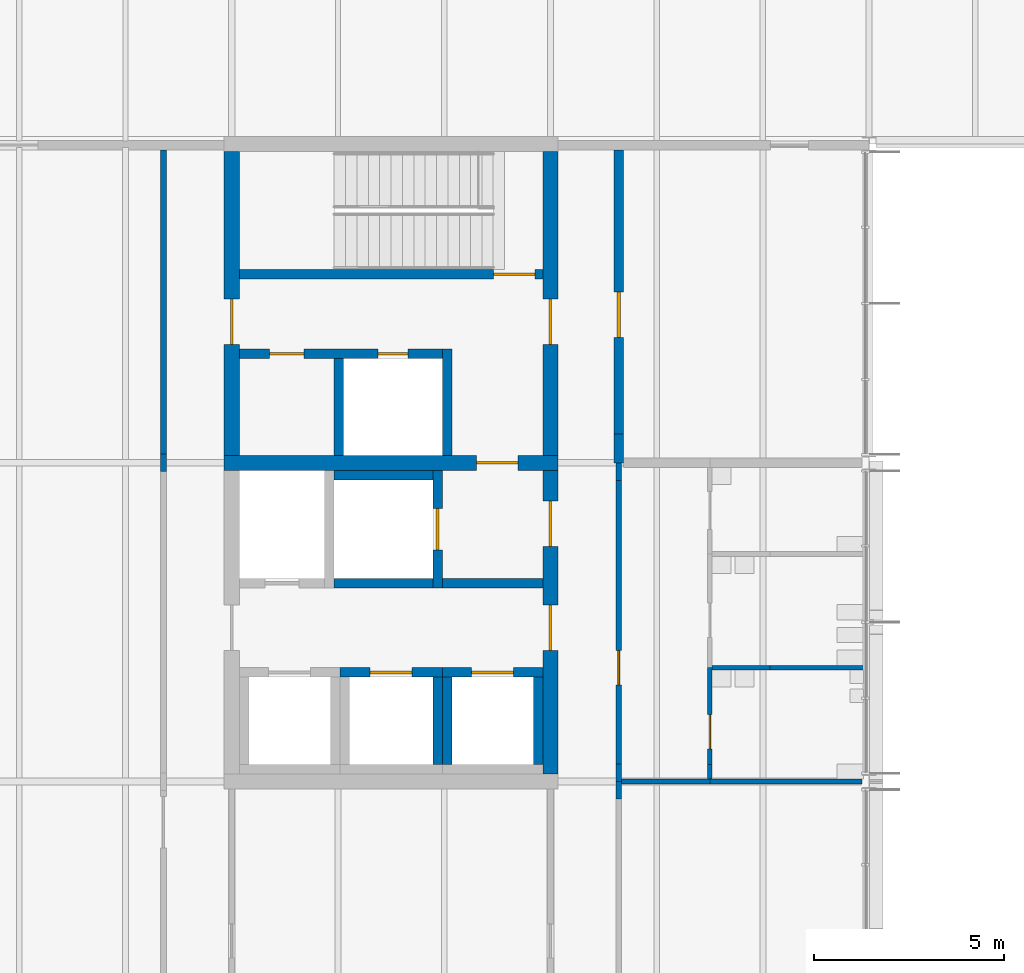
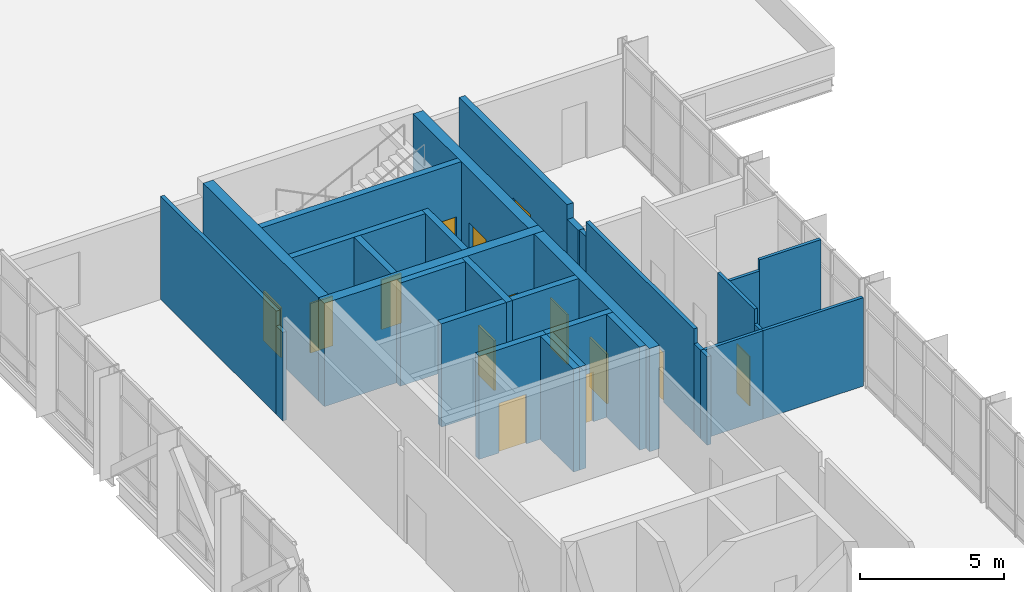
# One storey, part 17 of 26: 31 walls, 14 doors, 14 openings.
"""IFC4 building model written with IfcOpenShell, lengths in metres."""

from ifc_helpers import new_model, si_unit, direction, frame, frame_2d, origin, place, context, subcontext, project, spatial, rectangle, extrude, material, layer, layer_set, type_object, element, fill, save


model = new_model("IFC4")

# Units and contexts
model_context = context("Model", 3, precision=1e-05, world=origin(), true_north=direction((0.0, 1.0)))
body_context = subcontext(model_context, "Body", "Model", "MODEL_VIEW")
ifc_project = project(units=[si_unit("LENGTHUNIT", "METRE"), si_unit("AREAUNIT", "SQUARE_METRE"), si_unit("VOLUMEUNIT", "CUBIC_METRE"), si_unit("PLANEANGLEUNIT", "RADIAN"), si_unit("MASSUNIT", "GRAM", prefix="KILO")], contexts=[model_context])

# Site, building, storey
site_placement = place(None, origin())
site = spatial("IfcSite", under=ifc_project, at=site_placement, CompositionType="ELEMENT")
building_placement = place(site_placement, origin())
building = spatial("IfcBuilding", under=site, at=building_placement, Name="Hlaing Beacon Police Headquarters", CompositionType="ELEMENT")
storey_placement = place(building_placement, frame((0.0, 0.0, 23.39990234375)))
storey = spatial("IfcBuildingStorey", under=building, at=storey_placement, Name="L05", CompositionType="ELEMENT", Elevation=23.39990234375)

# Wall, opening, door
ifc_material_1 = material(Name="Concrete C60/75", Category="concrete")
ifc_layer_1 = layer(ifc_material_1, 0.39990234375)
ifc_layer_set_1 = layer_set([ifc_layer_1], Name="Concrete C60/75")
wall_type_1 = type_object("IfcWallType", Name="Core shear wall 400", PredefinedType="SHEAR", material=ifc_layer_set_1)
wall_1_placement = place(storey_placement, frame((109.0, 58.800048828125, 0.0), z_axis=(0.0, 0.0, 1.0), x_axis=(1.0, 0.0, 0.0)))
wall_1 = element("IfcWall", 1, at=wall_1_placement, inside=storey, type_object=wall_type_1, Name="Core shear wall", PredefinedType="SHEAR", context=body_context, shape_type="SweptSolid", body=[
    extrude(rectangle(XDim=8.800048828125, YDim=0.39990234375, at=frame_2d((4.39990234375, 0.0))), origin(), (0.0, 0.0, 1.0), 4.3701171875),
])
opening_1_placement = place(wall_1_placement, frame((6.64990234375, 0.0, 0.0)))
opening_1 = element("IfcOpeningElement", 2, at=opening_1_placement, cuts=wall_1, Name="Opening L05-904", PredefinedType="OPENING", context=body_context, shape_type="SweptSolid", body=[
    extrude(rectangle(XDim=1.10009765625, YDim=2.10009765625, at=frame_2d((0.550048828125, 1.050048828125))), frame((0.0, 0.2099609375, 0.0), z_axis=(0.0, -1.0, 0.0), x_axis=(1.0, 0.0, 0.0)), (0.0, 0.0, 1.0), 0.419921875),
])
ifc_material_2 = material(Name="Steel fire door leaf", Category="steel")
ifc_layer_2 = layer(ifc_material_2, 0.070068359375)
ifc_layer_set_2 = layer_set([ifc_layer_2], Name="Steel fire door leaf")
door_type_1 = type_object("IfcDoorType", Name="Steel fire door FD60S 1100x2100", OperationType="SINGLE_SWING_LEFT", PredefinedType="DOOR", material=ifc_layer_set_2)
door_1_placement = place(opening_1_placement, origin())
door_1 = element("IfcDoor", 3, at=door_1_placement, inside=storey, type_object=door_type_1, Name="Door Firefighting Lobby Stair", OperationType="SINGLE_SWING_LEFT", OverallHeight=2.10009765625, OverallWidth=1.10009765625, PredefinedType="DOOR", context=body_context, shape_type="SweptSolid", body=[
    extrude(rectangle(XDim=1.10009765625, YDim=2.10009765625, at=frame_2d((0.550048828125, 1.050048828125))), frame((0.0, 0.03515625, 0.0), z_axis=(0.0, -1.0, 0.0), x_axis=(1.0, 0.0, 0.0)), (0.0, 0.0, 1.0), 0.070068359375),
])
fill(opening_1, door_1)

# Wall, openings, doors
wall_2_placement = place(storey_placement, frame((117.60009765625, 50.60009765625, 0.0), z_axis=(0.0, 0.0, 1.0), x_axis=(0.0, 1.0, 0.0)))
wall_2 = element("IfcWall", 4, at=wall_2_placement, inside=storey, type_object=wall_type_1, Name="Core shear wall", PredefinedType="SHEAR", context=body_context, shape_type="SweptSolid", body=[
    extrude(rectangle(XDim=8.0, YDim=0.39990234375, at=frame_2d((4.0, 0.0))), origin(), (0.0, 0.0, 1.0), 4.3701171875),
])
opening_2_placement = place(wall_2_placement, frame((3.25, 0.0, 0.0)))
opening_2 = element("IfcOpeningElement", 5, at=opening_2_placement, cuts=wall_2, Name="Opening L05-902", PredefinedType="OPENING", context=body_context, shape_type="SweptSolid", body=[
    extrude(rectangle(XDim=1.199951171875, YDim=2.10009765625, at=frame_2d((0.60009765625, 1.050048828125))), frame((0.0, 0.2099609375, 0.0), z_axis=(0.0, -1.0, 0.0), x_axis=(1.0, 0.0, 0.0)), (0.0, 0.0, 1.0), 0.419921875),
])
opening_3_placement = place(wall_2_placement, frame((6.0, 0.0, 0.0)))
opening_3 = element("IfcOpeningElement", 6, at=opening_3_placement, cuts=wall_2, Name="Opening L05-903", PredefinedType="OPENING", context=body_context, shape_type="SweptSolid", body=[
    extrude(rectangle(XDim=1.199951171875, YDim=2.10009765625, at=frame_2d((0.60009765625, 1.050048828125))), frame((0.0, 0.2099609375, 0.0), z_axis=(0.0, -1.0, 0.0), x_axis=(1.0, 0.0, 0.0)), (0.0, 0.0, 1.0), 0.419921875),
])
ifc_material_3 = material(Name="Steel fire door leaf", Category="steel")
ifc_layer_3 = layer(ifc_material_3, 0.070068359375)
ifc_layer_set_3 = layer_set([ifc_layer_3], Name="Steel fire door leaf")
door_type_2 = type_object("IfcDoorType", Name="Steel fire door FD60S 1200x2100", OperationType="SINGLE_SWING_LEFT", PredefinedType="DOOR", material=ifc_layer_set_3)
door_2_placement = place(opening_2_placement, origin())
door_2 = element("IfcDoor", 7, at=door_2_placement, inside=storey, type_object=door_type_2, Name="Door Lift Lobby Entry", OperationType="SINGLE_SWING_RIGHT", OverallHeight=2.10009765625, OverallWidth=1.199951171875, PredefinedType="DOOR", context=body_context, shape_type="SweptSolid", body=[
    extrude(rectangle(XDim=1.199951171875, YDim=2.10009765625, at=frame_2d((0.60009765625, 1.050048828125))), frame((0.0, 0.03515625, 0.0), z_axis=(0.0, -1.0, 0.0), x_axis=(1.0, 0.0, 0.0)), (0.0, 0.0, 1.0), 0.070068359375),
])
fill(opening_2, door_2)
door_3_placement = place(opening_3_placement, origin())
door_3 = element("IfcDoor", 8, at=door_3_placement, inside=storey, type_object=door_type_2, Name="Door Firefighting Lobby Entry", OperationType="SINGLE_SWING_LEFT", OverallHeight=2.10009765625, OverallWidth=1.199951171875, PredefinedType="DOOR", context=body_context, shape_type="SweptSolid", body=[
    extrude(rectangle(XDim=1.199951171875, YDim=2.10009765625, at=frame_2d((0.60009765625, 1.050048828125))), frame((0.0, 0.03515625, 0.0), z_axis=(0.0, -1.0, 0.0), x_axis=(1.0, 0.0, 0.0)), (0.0, 0.0, 1.0), 0.070068359375),
])
fill(opening_3, door_3)

# Wall, opening, door
wall_3_placement = place(storey_placement, frame((109.199951171875, 59.0, 0.0), z_axis=(0.0, 0.0, 1.0), x_axis=(0.0, 1.0, 0.0)))
wall_3 = element("IfcWall", 9, at=wall_3_placement, inside=storey, type_object=wall_type_1, Name="Core shear wall", PredefinedType="SHEAR", context=body_context, shape_type="SweptSolid", body=[
    extrude(rectangle(XDim=8.0, YDim=0.39990234375, at=frame_2d((4.0, 0.0))), origin(), (0.0, 0.0, 1.0), 4.3701171875),
])
opening_4_placement = place(wall_3_placement, frame((2.925048828125, 0.0, 0.0)))
opening_4 = element("IfcOpeningElement", 10, at=opening_4_placement, cuts=wall_3, Name="Opening L05-907", PredefinedType="OPENING", context=body_context, shape_type="SweptSolid", body=[
    extrude(rectangle(XDim=1.199951171875, YDim=2.10009765625, at=frame_2d((0.60009765625, 1.050048828125))), frame((0.0, 0.2099609375, 0.0), z_axis=(0.0, -1.0, 0.0), x_axis=(1.0, 0.0, 0.0)), (0.0, 0.0, 1.0), 0.419921875),
])
door_4_placement = place(opening_4_placement, frame((1.199951171875, 0.0, 0.0), z_axis=(0.0, 0.0, 1.0), x_axis=(-1.0, 0.0, 0.0)))
door_4 = element("IfcDoor", 11, at=door_4_placement, inside=storey, type_object=door_type_2, Name="Door Stair Lobby ST-M Entry", OperationType="SINGLE_SWING_LEFT", OverallHeight=2.10009765625, OverallWidth=1.199951171875, PredefinedType="DOOR", context=body_context, shape_type="SweptSolid", body=[
    extrude(rectangle(XDim=1.199951171875, YDim=2.10009765625, at=frame_2d((0.599853515625, 1.050048828125))), frame((0.0, 0.034912109375, 0.0), z_axis=(0.0, -1.0, 0.0), x_axis=(1.0, 0.0, 0.0)), (0.0, 0.0, 1.0), 0.070068359375),
])
fill(opening_4, door_4)

wall_4_placement = place(storey_placement, frame((117.60009765625, 59.0, 0.0), z_axis=(0.0, 0.0, 1.0), x_axis=(0.0, 1.0, 0.0)))
wall_4 = element("IfcWall", 12, at=wall_4_placement, inside=storey, type_object=wall_type_1, Name="Core shear wall", PredefinedType="SHEAR", context=body_context, shape_type="SweptSolid", body=[
    extrude(rectangle(XDim=8.0, YDim=0.39990234375, at=frame_2d((4.0, 0.0))), origin(), (0.0, 0.0, 1.0), 4.3701171875),
])
opening_5_placement = place(wall_4_placement, frame((2.925048828125, 0.0, 0.0)))
opening_5 = element("IfcOpeningElement", 13, at=opening_5_placement, cuts=wall_4, Name="Opening L05-908", PredefinedType="OPENING", context=body_context, shape_type="SweptSolid", body=[
    extrude(rectangle(XDim=1.199951171875, YDim=2.10009765625, at=frame_2d((0.60009765625, 1.050048828125))), frame((0.0, 0.2099609375, 0.0), z_axis=(0.0, -1.0, 0.0), x_axis=(1.0, 0.0, 0.0)), (0.0, 0.0, 1.0), 0.419921875),
])
door_5_placement = place(opening_5_placement, origin())
door_5 = element("IfcDoor", 14, at=door_5_placement, inside=storey, type_object=door_type_2, Name="Door Stair Lobby ST-M Entry", OperationType="SINGLE_SWING_RIGHT", OverallHeight=2.10009765625, OverallWidth=1.199951171875, PredefinedType="DOOR", context=body_context, shape_type="SweptSolid", body=[
    extrude(rectangle(XDim=1.199951171875, YDim=2.10009765625, at=frame_2d((0.60009765625, 1.050048828125))), frame((0.0, 0.03515625, 0.0), z_axis=(0.0, -1.0, 0.0), x_axis=(1.0, 0.0, 0.0)), (0.0, 0.0, 1.0), 0.070068359375),
])
fill(opening_5, door_5)

# Walls
ifc_material_4 = material(Name="Gypsum board partition")
ifc_layer_4 = layer(ifc_material_4, 0.14990234375)
ifc_layer_set_4 = layer_set([ifc_layer_4], Name="Gypsum board partition")
wall_type_2 = type_object("IfcWallType", Name="Corridor wall EI 30 150", PredefinedType="PARTITIONING", material=ifc_layer_set_4)
wall_5_placement = place(storey_placement, frame((119.39990234375, 49.93994140625, 0.0), z_axis=(0.0, 0.0, 1.0), x_axis=(0.0, 1.0, 0.0)))
element("IfcWall", 15, at=wall_5_placement, inside=storey, type_object=wall_type_2, Name="Corridor wall EI 30 150", PredefinedType="PARTITIONING", context=body_context, shape_type="SweptSolid", body=[
    extrude(rectangle(XDim=0.4599609375, YDim=0.14990234375, at=frame_2d((0.22998046875, 0.0))), origin(), (0.0, 0.0, 1.0), 3.74609375),
])
wall_6_placement = place(storey_placement, frame((119.39990234375, 50.39990234375, 0.0), z_axis=(0.0, 0.0, 1.0), x_axis=(0.0, 1.0, 0.0)))
element("IfcWall", 16, at=wall_6_placement, inside=storey, type_object=wall_type_2, Name="Corridor wall EI 30 150", PredefinedType="PARTITIONING", context=body_context, shape_type="SweptSolid", body=[
    extrude(rectangle(XDim=0.460205078125, YDim=0.14990234375, at=frame_2d((0.22998046875, 0.0))), origin(), (0.0, 0.0, 1.0), 3.74609375),
])

# Wall, opening, door
wall_7_placement = place(storey_placement, frame((119.39990234375, 50.860107421875, 0.0), z_axis=(0.0, 0.0, 1.0), x_axis=(0.0, 1.0, 0.0)))
wall_7 = element("IfcWall", 17, at=wall_7_placement, inside=storey, type_object=wall_type_2, Name="Corridor wall EI 30 150", PredefinedType="PARTITIONING", context=body_context, shape_type="SweptSolid", body=[
    extrude(rectangle(XDim=7.47998046875, YDim=0.14990234375, at=frame_2d((3.739990234375, 0.0))), origin(), (0.0, 0.0, 1.0), 4.3701171875),
])
opening_6_placement = place(wall_7_placement, frame((2.090087890625, 0.0, 0.0)))
opening_6 = element("IfcOpeningElement", 18, at=opening_6_placement, cuts=wall_7, Name="Opening L05-004", PredefinedType="OPENING", context=body_context, shape_type="SweptSolid", body=[
    extrude(rectangle(XDim=0.89990234375, YDim=2.10009765625, at=frame_2d((0.449951171875, 1.050048828125))), frame((0.0, 0.0849609375, 0.0), z_axis=(0.0, -1.0, 0.0), x_axis=(1.0, 0.0, 0.0)), (0.0, 0.0, 1.0), 0.169921875),
])
ifc_material_5 = material(Name="Hardwood door leaf", Category="wood")
ifc_layer_5 = layer(ifc_material_5, 0.050048828125)
ifc_layer_set_5 = layer_set([ifc_layer_5], Name="Hardwood door leaf")
door_type_3 = type_object("IfcDoorType", Name="Fire door FD30S 900x2100", OperationType="SINGLE_SWING_LEFT", PredefinedType="DOOR", material=ifc_layer_set_5)
door_6_placement = place(opening_6_placement, frame((0.89990234375, 0.0, 0.0), z_axis=(0.0, 0.0, 1.0), x_axis=(-1.0, 0.0, 0.0)))
door_6 = element("IfcDoor", 19, at=door_6_placement, inside=storey, type_object=door_type_3, Name="Door WC Lobby", OperationType="SINGLE_SWING_LEFT", OverallHeight=2.10009765625, OverallWidth=0.89990234375, PredefinedType="DOOR", context=body_context, shape_type="SweptSolid", body=[
    extrude(rectangle(XDim=0.89990234375, YDim=2.10009765625, at=frame_2d((0.449951171875, 1.050048828125))), frame((0.0, 0.025146484375, 0.0), z_axis=(0.0, -1.0, 0.0), x_axis=(1.0, 0.0, 0.0)), (0.0, 0.0, 1.0), 0.050048828125),
])
fill(opening_6, door_6)

# Walls
for number, where, z_axis, x_axis, name in (
    (20, (119.39990234375, 58.340087890625, 0.0), (0.0, 0.0, 1.0), (0.0, 1.0, 0.0), "Corridor wall EI 30 150"),
    (21, (107.39990234375, 58.570068359375, 0.0), (0.0, 0.0, 1.0), (0.0, 1.0, 0.0), "Corridor wall EI 30 150"),
):
    element("IfcWall", number, at=place(storey_placement, frame(where, z_axis=z_axis, x_axis=x_axis)), inside=storey, type_object=wall_type_2, Name=name, PredefinedType="PARTITIONING", context=body_context, shape_type="SweptSolid", body=[
        extrude(rectangle(XDim=0.4599609375, YDim=0.14990234375, at=frame_2d((0.22998046875, 0.0))), origin(), (0.0, 0.0, 1.0), 3.74609375),
    ])
wall_8_placement = place(storey_placement, frame((107.39990234375, 59.030029296875, 0.0), z_axis=(0.0, 0.0, 1.0), x_axis=(0.0, 1.0, 0.0)))
element("IfcWall", 22, at=wall_8_placement, inside=storey, type_object=wall_type_2, Name="Corridor wall EI 30 150", PredefinedType="PARTITIONING", context=body_context, shape_type="SweptSolid", body=[
    extrude(rectangle(XDim=8.02001953125, YDim=0.14990234375, at=frame_2d((4.010009765625, 0.0))), origin(), (0.0, 0.0, 1.0), 4.3701171875),
])
ifc_material_6 = material(Name="Gypsum board partition")
ifc_layer_6 = layer(ifc_material_6, 0.125)
ifc_layer_set_6 = layer_set([ifc_layer_6], Name="Gypsum board partition")
wall_type_3 = type_object("IfcWallType", Name="Partition 125", PredefinedType="PARTITIONING", material=ifc_layer_set_6)
wall_9_placement = place(storey_placement, frame((119.47509765625, 50.39990234375, 0.0), z_axis=(0.0, 0.0, 1.0), x_axis=(1.0, 0.0, 0.0)))
element("IfcWall", 23, at=wall_9_placement, inside=storey, type_object=wall_type_3, Name="Partition 125", PredefinedType="PARTITIONING", context=body_context, shape_type="SweptSolid", body=[
    extrude(rectangle(XDim=2.324951171875, YDim=0.125, at=frame_2d((1.16259765625, 0.0))), origin(), (0.0, 0.0, 1.0), 3.74609375),
])
wall_10_placement = place(storey_placement, frame((121.800048828125, 50.39990234375, 0.0), z_axis=(0.0, 0.0, 1.0), x_axis=(1.0, 0.0, 0.0)))
element("IfcWall", 24, at=wall_10_placement, inside=storey, type_object=wall_type_3, Name="Partition 125", PredefinedType="PARTITIONING", context=body_context, shape_type="SweptSolid", body=[
    extrude(rectangle(XDim=4.013916015625, YDim=0.125, at=frame_2d((2.0068359375, 0.0))), origin(), (0.0, 0.0, 1.0), 3.74609375),
])
wall_11_placement = place(storey_placement, frame((121.862060546875, 53.39990234375, 0.0), z_axis=(0.0, 0.0, 1.0), x_axis=(1.0, 0.0, 0.0)))
element("IfcWall", 25, at=wall_11_placement, inside=storey, type_object=wall_type_3, Name="Partition 125", PredefinedType="PARTITIONING", context=body_context, shape_type="SweptSolid", body=[
    extrude(rectangle(XDim=1.530029296875, YDim=0.125, at=frame_2d((0.76513671875, 0.0))), origin(), (0.0, 0.0, 1.0), 3.89501953125),
])
wall_12_placement = place(storey_placement, frame((123.39208984375, 53.39990234375, 0.0), z_axis=(0.0, 0.0, 1.0), x_axis=(1.0, 0.0, 0.0)))
element("IfcWall", 26, at=wall_12_placement, inside=storey, type_object=wall_type_3, Name="Partition 125", PredefinedType="PARTITIONING", context=body_context, shape_type="SweptSolid", body=[
    extrude(rectangle(XDim=2.4580078125, YDim=0.125, at=frame_2d((1.22900390625, 0.0))), origin(), (0.0, 0.0, 1.0), 4.3701171875),
])
wall_13_placement = place(storey_placement, frame((121.800048828125, 50.4619140625, 0.0), z_axis=(0.0, 0.0, 1.0), x_axis=(0.0, 1.0, 0.0)))
element("IfcWall", 27, at=wall_13_placement, inside=storey, type_object=wall_type_3, Name="Partition 125", PredefinedType="PARTITIONING", context=body_context, shape_type="SweptSolid", body=[
    extrude(rectangle(XDim=0.385009765625, YDim=0.125, at=frame_2d((0.1923828125, 0.0))), origin(), (0.0, 0.0, 1.0), 3.74609375),
])

# Wall, opening, door
wall_14_placement = place(storey_placement, frame((121.800048828125, 50.846923828125, 0.0), z_axis=(0.0, 0.0, 1.0), x_axis=(0.0, 1.0, 0.0)))
wall_14 = element("IfcWall", 28, at=wall_14_placement, inside=storey, type_object=wall_type_3, Name="Partition 125", PredefinedType="PARTITIONING", context=body_context, shape_type="SweptSolid", body=[
    extrude(rectangle(XDim=2.552978515625, YDim=0.125, at=frame_2d((1.2763671875, 0.0))), origin(), (0.0, 0.0, 1.0), 4.3701171875),
])
opening_7_placement = place(wall_14_placement, frame((0.4150390625, 0.0, 0.0)))
opening_7 = element("IfcOpeningElement", 29, at=opening_7_placement, cuts=wall_14, Name="Opening L05-005", PredefinedType="OPENING", context=body_context, shape_type="SweptSolid", body=[
    extrude(rectangle(XDim=0.89990234375, YDim=2.10009765625, at=frame_2d((0.449951171875, 1.050048828125))), frame((0.0, 0.072509765625, 0.0), z_axis=(0.0, -1.0, 0.0), x_axis=(1.0, 0.0, 0.0)), (0.0, 0.0, 1.0), 0.14501953125),
])
ifc_material_7 = material(Name="Hardwood door leaf", Category="wood")
ifc_layer_7 = layer(ifc_material_7, 0.0400390625)
ifc_layer_set_7 = layer_set([ifc_layer_7], Name="Hardwood door leaf")
door_type_4 = type_object("IfcDoorType", Name="Door 900x2100", OperationType="SINGLE_SWING_LEFT", PredefinedType="DOOR", material=ifc_layer_set_7)
door_7_placement = place(opening_7_placement, frame((0.89990234375, 0.0, 0.0), z_axis=(0.0, 0.0, 1.0), x_axis=(-1.0, 0.0, 0.0)))
door_7 = element("IfcDoor", 30, at=door_7_placement, inside=storey, type_object=door_type_4, Name="Door Male WC", OperationType="SINGLE_SWING_LEFT", OverallHeight=2.10009765625, OverallWidth=0.89990234375, PredefinedType="DOOR", context=body_context, shape_type="SweptSolid", body=[
    extrude(rectangle(XDim=0.89990234375, YDim=2.10009765625, at=frame_2d((0.449951171875, 1.050048828125))), frame((0.0, 0.02001953125, 0.0), z_axis=(0.0, -1.0, 0.0), x_axis=(1.0, 0.0, 0.0)), (0.0, 0.0, 1.0), 0.0400390625),
])
fill(opening_7, door_7)

# Wall
ifc_material_8 = material(Name="Concrete blockwork 7.5 N/mm2", Category="masonry")
ifc_layer_8 = layer(ifc_material_8, 0.25)
ifc_layer_set_8 = layer_set([ifc_layer_8], Name="Concrete blockwork 7.5 N/mm2")
wall_type_4 = type_object("IfcWallType", Name="Plant room wall EI 120 250", PredefinedType="PARTITIONING", material=ifc_layer_set_8)
wall_15_placement = place(storey_placement, frame((119.39990234375, 58.800048828125, 0.0), z_axis=(0.0, 0.0, 1.0), x_axis=(0.0, 1.0, 0.0)))
element("IfcWall", 31, at=wall_15_placement, inside=storey, type_object=wall_type_4, Name="Plant room wall EI 120 250", PredefinedType="PARTITIONING", context=body_context, shape_type="SweptSolid", body=[
    extrude(rectangle(XDim=0.760009765625, YDim=0.25, at=frame_2d((0.3798828125, 0.0))), origin(), (0.0, 0.0, 1.0), 3.74609375),
])

# Wall, opening, door
wall_16_placement = place(storey_placement, frame((119.39990234375, 59.56005859375, 0.0), z_axis=(0.0, 0.0, 1.0), x_axis=(0.0, 1.0, 0.0)))
wall_16 = element("IfcWall", 32, at=wall_16_placement, inside=storey, type_object=wall_type_4, Name="Plant room wall EI 120 250", PredefinedType="PARTITIONING", context=body_context, shape_type="SweptSolid", body=[
    extrude(rectangle(XDim=7.489990234375, YDim=0.25, at=frame_2d((3.7451171875, 0.0))), origin(), (0.0, 0.0, 1.0), 4.3701171875),
])
opening_8_placement = place(wall_16_placement, frame((2.5400390625, 0.0, 0.0)))
opening_8 = element("IfcOpeningElement", 33, at=opening_8_placement, cuts=wall_16, Name="Opening L05-006", PredefinedType="OPENING", context=body_context, shape_type="SweptSolid", body=[
    extrude(rectangle(XDim=1.199951171875, YDim=2.39990234375, at=frame_2d((0.60009765625, 1.199951171875))), frame((0.0, 0.135009765625, 0.0), z_axis=(0.0, -1.0, 0.0), x_axis=(1.0, 0.0, 0.0)), (0.0, 0.0, 1.0), 0.27001953125),
])
ifc_material_9 = material(Name="Steel fire door leaf", Category="steel")
ifc_layer_9 = layer(ifc_material_9, 0.10009765625)
ifc_layer_set_9 = layer_set([ifc_layer_9], Name="Steel fire door leaf")
door_type_5 = type_object("IfcDoorType", Name="Steel plant door FD120 1200x2400", OperationType="SINGLE_SWING_LEFT", PredefinedType="DOOR", material=ifc_layer_set_9)
door_8_placement = place(opening_8_placement, frame((1.199951171875, 0.0, 0.0), z_axis=(0.0, 0.0, 1.0), x_axis=(-1.0, 0.0, 0.0)))
door_8 = element("IfcDoor", 34, at=door_8_placement, inside=storey, type_object=door_type_5, Name="Door Operations Plant Room", OperationType="SINGLE_SWING_LEFT", OverallHeight=2.39990234375, OverallWidth=1.199951171875, PredefinedType="DOOR", context=body_context, shape_type="SweptSolid", body=[
    extrude(rectangle(XDim=1.199951171875, YDim=2.39990234375, at=frame_2d((0.599853515625, 1.199951171875))), frame((0.0, 0.050048828125, 0.0), z_axis=(0.0, -1.0, 0.0), x_axis=(1.0, 0.0, 0.0)), (0.0, 0.0, 1.0), 0.10009765625),
])
fill(opening_8, door_8)

# Wall
ifc_material_10 = material(Name="Concrete C40/50", Category="concrete")
ifc_layer_10 = layer(ifc_material_10, 0.25)
ifc_layer_set_10 = layer_set([ifc_layer_10], Name="Concrete C40/50")
wall_type_5 = type_object("IfcWallType", Name="Shaft wall 250", PredefinedType="SOLIDWALL", material=ifc_layer_set_10)
wall_17_placement = place(storey_placement, frame((114.75, 55.625, 0.0), z_axis=(0.0, 0.0, 1.0), x_axis=(1.0, 0.0, 0.0)))
element("IfcWall", 35, at=wall_17_placement, inside=storey, type_object=wall_type_5, Name="Firefighting lobby wall", PredefinedType="SOLIDWALL", context=body_context, shape_type="SweptSolid", body=[
    extrude(rectangle(XDim=2.64990234375, YDim=0.25, at=frame_2d((1.324951171875, 0.0))), origin(), (0.0, 0.0, 1.0), 4.3701171875),
])

# Wall, opening, door
wall_18_placement = place(storey_placement, frame((117.39990234375, 63.77490234375, 0.0), z_axis=(0.0, 0.0, 1.0), x_axis=(-1.0, 0.0, 0.0)))
wall_18 = element("IfcWall", 36, at=wall_18_placement, inside=storey, type_object=wall_type_5, Name="Stair enclosure wall", PredefinedType="SOLIDWALL", context=body_context, shape_type="SweptSolid", body=[
    extrude(rectangle(XDim=8.0, YDim=0.25, at=frame_2d((4.0, 0.0))), origin(), (0.0, 0.0, 1.0), 4.3701171875),
])
opening_9_placement = place(wall_18_placement, frame((0.199951171875, 0.0, 0.0)))
opening_9 = element("IfcOpeningElement", 37, at=opening_9_placement, cuts=wall_18, Name="Opening L05-910", PredefinedType="OPENING", context=body_context, shape_type="SweptSolid", body=[
    extrude(rectangle(XDim=1.10009765625, YDim=2.10009765625, at=frame_2d((0.550048828125, 1.050048828125))), frame((0.0, 0.135009765625, 0.0), z_axis=(0.0, -1.0, 0.0), x_axis=(1.0, 0.0, 0.0)), (0.0, 0.0, 1.0), 0.27001953125),
])
ifc_material_11 = material(Name="Steel fire door leaf", Category="steel")
ifc_layer_11 = layer(ifc_material_11, 0.070068359375)
ifc_layer_set_11 = layer_set([ifc_layer_11], Name="Steel fire door leaf")
door_type_6 = type_object("IfcDoorType", Name="Steel fire door FD60 1100x2100", OperationType="SINGLE_SWING_LEFT", PredefinedType="DOOR", material=ifc_layer_set_11)
door_9_placement = place(opening_9_placement, frame((1.10009765625, 0.0, 0.0), z_axis=(0.0, 0.0, 1.0), x_axis=(-1.0, 0.0, 0.0)))
door_9 = element("IfcDoor", 38, at=door_9_placement, inside=storey, type_object=door_type_6, Name="Door Stair ST-M", OperationType="SINGLE_SWING_LEFT", OverallHeight=2.10009765625, OverallWidth=1.10009765625, PredefinedType="DOOR", context=body_context, shape_type="SweptSolid", body=[
    extrude(rectangle(XDim=1.10009765625, YDim=2.10009765625, at=frame_2d((0.550048828125, 1.050048828125))), frame((0.0, 0.034912109375, 0.0), z_axis=(0.0, -1.0, 0.0), x_axis=(1.0, 0.0, 0.0)), (0.0, 0.0, 1.0), 0.070068359375),
])
fill(opening_9, door_9)

# Wall
wall_19_placement = place(storey_placement, frame((114.875, 61.800048828125, 0.0), z_axis=(0.0, 0.0, 1.0), x_axis=(0.0, -1.0, 0.0)))
element("IfcWall", 39, at=wall_19_placement, inside=storey, type_object=wall_type_5, Name="Lobby wall", PredefinedType="SOLIDWALL", context=body_context, shape_type="SweptSolid", body=[
    extrude(rectangle(XDim=2.800048828125, YDim=0.25, at=frame_2d((1.39990234375, 0.0))), origin(), (0.0, 0.0, 1.0), 4.3701171875),
])

# Wall, openings, doors
wall_20_placement = place(storey_placement, frame((114.75, 61.675048828125, 0.0), z_axis=(0.0, 0.0, 1.0), x_axis=(-1.0, 0.0, 0.0)))
wall_20 = element("IfcWall", 40, at=wall_20_placement, inside=storey, type_object=wall_type_5, Name="Lobby wall", PredefinedType="SOLIDWALL", context=body_context, shape_type="SweptSolid", body=[
    extrude(rectangle(XDim=5.35009765625, YDim=0.25, at=frame_2d((2.675048828125, 0.0))), origin(), (0.0, 0.0, 1.0), 4.3701171875),
])
opening_10_placement = place(wall_20_placement, frame((3.64990234375, 0.0, 0.0)))
opening_10 = element("IfcOpeningElement", 41, at=opening_10_placement, cuts=wall_20, Name="Opening L05-906", PredefinedType="OPENING", context=body_context, shape_type="SweptSolid", body=[
    extrude(rectangle(XDim=0.89990234375, YDim=2.10009765625, at=frame_2d((0.449951171875, 1.050048828125))), frame((0.0, 0.135009765625, 0.0), z_axis=(0.0, -1.0, 0.0), x_axis=(1.0, 0.0, 0.0)), (0.0, 0.0, 1.0), 0.27001953125),
])
opening_11_placement = place(wall_20_placement, frame((0.89990234375, 0.0, 0.0)))
opening_11 = element("IfcOpeningElement", 42, at=opening_11_placement, cuts=wall_20, Name="Opening L05-909", PredefinedType="OPENING", context=body_context, shape_type="SweptSolid", body=[
    extrude(rectangle(XDim=0.800048828125, YDim=2.10009765625, at=frame_2d((0.39990234375, 1.050048828125))), frame((0.0, 0.135009765625, 0.0), z_axis=(0.0, -1.0, 0.0), x_axis=(1.0, 0.0, 0.0)), (0.0, 0.0, 1.0), 0.27001953125),
])
ifc_material_12 = material(Name="Steel fire door leaf", Category="steel")
ifc_layer_12 = layer(ifc_material_12, 0.070068359375)
ifc_layer_set_12 = layer_set([ifc_layer_12], Name="Steel fire door leaf")
door_type_7 = type_object("IfcDoorType", Name="Steel fire door FD60 800x2100", OperationType="SINGLE_SWING_LEFT", PredefinedType="DOOR", material=ifc_layer_set_12)
door_10_placement = place(opening_11_placement, origin())
door_10 = element("IfcDoor", 43, at=door_10_placement, inside=storey, type_object=door_type_7, Name="Door Services Riser", OperationType="SINGLE_SWING_RIGHT", OverallHeight=2.10009765625, OverallWidth=0.800048828125, PredefinedType="DOOR", context=body_context, shape_type="SweptSolid", body=[
    extrude(rectangle(XDim=0.800048828125, YDim=2.10009765625, at=frame_2d((0.39990234375, 1.050048828125))), frame((0.0, 0.03515625, 0.0), z_axis=(0.0, -1.0, 0.0), x_axis=(1.0, 0.0, 0.0)), (0.0, 0.0, 1.0), 0.070068359375),
])
fill(opening_11, door_10)
ifc_material_13 = material(Name="Steel fire door leaf", Category="steel")
ifc_layer_13 = layer(ifc_material_13, 0.070068359375)
ifc_layer_set_13 = layer_set([ifc_layer_13], Name="Steel fire door leaf")
door_type_8 = type_object("IfcDoorType", Name="Steel fire door FD60 900x2100", OperationType="SINGLE_SWING_LEFT", PredefinedType="DOOR", material=ifc_layer_set_13)
door_11_placement = place(opening_10_placement, origin())
door_11 = element("IfcDoor", 44, at=door_11_placement, inside=storey, type_object=door_type_8, Name="Door Cleaners' Store", OperationType="SINGLE_SWING_LEFT", OverallHeight=2.10009765625, OverallWidth=0.89990234375, PredefinedType="DOOR", context=body_context, shape_type="SweptSolid", body=[
    extrude(rectangle(XDim=0.89990234375, YDim=2.10009765625, at=frame_2d((0.449951171875, 1.050048828125))), frame((0.0, 0.03515625, 0.0), z_axis=(0.0, -1.0, 0.0), x_axis=(1.0, 0.0, 0.0)), (0.0, 0.0, 1.0), 0.070068359375),
])
fill(opening_10, door_11)

# Wall
wall_21_placement = place(storey_placement, frame((112.02490234375, 61.550048828125, 0.0), z_axis=(0.0, 0.0, 1.0), x_axis=(0.0, -1.0, 0.0)))
element("IfcWall", 45, at=wall_21_placement, inside=storey, type_object=wall_type_5, Name="Riser wall", PredefinedType="SOLIDWALL", context=body_context, shape_type="SweptSolid", body=[
    extrude(rectangle(XDim=2.550048828125, YDim=0.25, at=frame_2d((1.27490234375, 0.0))), origin(), (0.0, 0.0, 1.0), 4.3701171875),
])

# Wall, opening, door
wall_22_placement = place(storey_placement, frame((114.625, 55.5, 0.0), z_axis=(0.0, 0.0, 1.0), x_axis=(0.0, 1.0, 0.0)))
wall_22 = element("IfcWall", 46, at=wall_22_placement, inside=storey, type_object=wall_type_5, Name="Lift shaft wall FL1", PredefinedType="SOLIDWALL", context=body_context, shape_type="SweptSolid", body=[
    extrude(rectangle(XDim=3.10009765625, YDim=0.25, at=frame_2d((1.550048828125, 0.0))), origin(), (0.0, 0.0, 1.0), 4.3701171875),
])
opening_12_placement = place(wall_22_placement, frame((1.0, 0.0, 0.0)))
opening_12 = element("IfcOpeningElement", 47, at=opening_12_placement, cuts=wall_22, Name="Opening LD-FL1-L05", PredefinedType="OPENING", context=body_context, shape_type="SweptSolid", body=[
    extrude(rectangle(XDim=1.10009765625, YDim=2.10009765625, at=frame_2d((0.550048828125, 1.050048828125))), frame((0.0, 0.135009765625, 0.0), z_axis=(0.0, -1.0, 0.0), x_axis=(1.0, 0.0, 0.0)), (0.0, 0.0, 1.0), 0.27001953125),
])
ifc_material_14 = material(Name="Stainless steel lift landing door", Category="steel")
ifc_layer_14 = layer(ifc_material_14, 0.06005859375)
ifc_layer_set_14 = layer_set([ifc_layer_14], Name="Stainless steel lift landing door")
door_type_9 = type_object("IfcDoorType", Name="Lift landing door 1100x2100", OperationType="DOUBLE_DOOR_SLIDING", PredefinedType="DOOR", material=ifc_layer_set_14)
door_12_placement = place(opening_12_placement, origin())
door_12 = element("IfcDoor", 48, at=door_12_placement, inside=storey, type_object=door_type_9, Name="Landing door FL1 L05", OperationType="DOUBLE_DOOR_SLIDING", OverallHeight=2.10009765625, OverallWidth=1.10009765625, PredefinedType="DOOR", context=body_context, shape_type="SweptSolid", body=[
    extrude(rectangle(XDim=1.10009765625, YDim=2.10009765625, at=frame_2d((0.550048828125, 1.050048828125))), frame((0.0, 0.0400390625, 0.0), z_axis=(0.0, -1.0, 0.0), x_axis=(1.0, 0.0, 0.0)), (0.0, 0.0, 1.0), 0.080078125),
])
fill(opening_12, door_12)

# Walls
for number, where, z_axis, x_axis, name in (
    (49, (111.89990234375, 58.47509765625, 0.0), (0.0, 0.0, 1.0), (1.0, 0.0, 0.0), "Lift shaft wall FL1"),
    (50, (111.89990234375, 55.625, 0.0), (0.0, 0.0, 1.0), (1.0, 0.0, 0.0), "Lift shaft wall FL1"),
):
    element("IfcWall", number, at=place(storey_placement, frame(where, z_axis=z_axis, x_axis=x_axis)), inside=storey, type_object=wall_type_5, Name=name, PredefinedType="SOLIDWALL", context=body_context, shape_type="SweptSolid", body=[
        extrude(rectangle(XDim=2.60009765625, YDim=0.25, at=frame_2d((1.300048828125, 0.0))), origin(), (0.0, 0.0, 1.0), 4.3701171875),
    ])
wall_23_placement = place(storey_placement, frame((114.625, 50.85009765625, 0.0), z_axis=(0.0, 0.0, 1.0), x_axis=(0.0, 1.0, 0.0)))
element("IfcWall", 51, at=wall_23_placement, inside=storey, type_object=wall_type_5, Name="Lift shaft wall PL8", PredefinedType="SOLIDWALL", context=body_context, shape_type="SweptSolid", body=[
    extrude(rectangle(XDim=2.2998046875, YDim=0.25, at=frame_2d((1.14990234375, 0.0))), origin(), (0.0, 0.0, 1.0), 4.3701171875),
])

# Wall, opening, door
wall_24_placement = place(storey_placement, frame((112.050048828125, 53.27490234375, 0.0), z_axis=(0.0, 0.0, 1.0), x_axis=(1.0, 0.0, 0.0)))
wall_24 = element("IfcWall", 52, at=wall_24_placement, inside=storey, type_object=wall_type_5, Name="Lift shaft wall PL8", PredefinedType="SOLIDWALL", context=body_context, shape_type="SweptSolid", body=[
    extrude(rectangle(XDim=2.699951171875, YDim=0.25, at=frame_2d((1.35009765625, 0.0))), origin(), (0.0, 0.0, 1.0), 4.3701171875),
])
opening_13_placement = place(wall_24_placement, frame((0.800048828125, 0.0, 0.0)))
opening_13 = element("IfcOpeningElement", 53, at=opening_13_placement, cuts=wall_24, Name="Opening LD-PL8-L05", PredefinedType="OPENING", context=body_context, shape_type="SweptSolid", body=[
    extrude(rectangle(XDim=1.10009765625, YDim=2.10009765625, at=frame_2d((0.550048828125, 1.050048828125))), frame((0.0, 0.135009765625, 0.0), z_axis=(0.0, -1.0, 0.0), x_axis=(1.0, 0.0, 0.0)), (0.0, 0.0, 1.0), 0.27001953125),
])
door_13_placement = place(opening_13_placement, origin())
door_13 = element("IfcDoor", 54, at=door_13_placement, inside=storey, type_object=door_type_9, Name="Landing door PL8 L05", OperationType="DOUBLE_DOOR_SLIDING", OverallHeight=2.10009765625, OverallWidth=1.10009765625, PredefinedType="DOOR", context=body_context, shape_type="SweptSolid", body=[
    extrude(rectangle(XDim=1.10009765625, YDim=2.10009765625, at=frame_2d((0.550048828125, 1.050048828125))), frame((0.0, 0.0400390625, 0.0), z_axis=(0.0, -1.0, 0.0), x_axis=(1.0, 0.0, 0.0)), (0.0, 0.0, 1.0), 0.080078125),
])
fill(opening_13, door_13)

# Wall
wall_25_placement = place(storey_placement, frame((117.27490234375, 50.85009765625, 0.0), z_axis=(0.0, 0.0, 1.0), x_axis=(0.0, 1.0, 0.0)))
element("IfcWall", 55, at=wall_25_placement, inside=storey, type_object=wall_type_5, Name="Lift shaft wall PL9", PredefinedType="SOLIDWALL", context=body_context, shape_type="SweptSolid", body=[
    extrude(rectangle(XDim=2.2998046875, YDim=0.25, at=frame_2d((1.14990234375, 0.0))), origin(), (0.0, 0.0, 1.0), 4.3701171875),
])

# Wall, opening, door
wall_26_placement = place(storey_placement, frame((114.75, 53.27490234375, 0.0), z_axis=(0.0, 0.0, 1.0), x_axis=(1.0, 0.0, 0.0)))
wall_26 = element("IfcWall", 56, at=wall_26_placement, inside=storey, type_object=wall_type_5, Name="Lift shaft wall PL9", PredefinedType="SOLIDWALL", context=body_context, shape_type="SweptSolid", body=[
    extrude(rectangle(XDim=2.64990234375, YDim=0.25, at=frame_2d((1.324951171875, 0.0))), origin(), (0.0, 0.0, 1.0), 4.3701171875),
])
opening_14_placement = place(wall_26_placement, frame((0.77490234375, 0.0, 0.0)))
opening_14 = element("IfcOpeningElement", 57, at=opening_14_placement, cuts=wall_26, Name="Opening LD-PL9-L05", PredefinedType="OPENING", context=body_context, shape_type="SweptSolid", body=[
    extrude(rectangle(XDim=1.10009765625, YDim=2.10009765625, at=frame_2d((0.550048828125, 1.050048828125))), frame((0.0, 0.135009765625, 0.0), z_axis=(0.0, -1.0, 0.0), x_axis=(1.0, 0.0, 0.0)), (0.0, 0.0, 1.0), 0.27001953125),
])
door_14_placement = place(opening_14_placement, origin())
door_14 = element("IfcDoor", 58, at=door_14_placement, inside=storey, type_object=door_type_9, Name="Landing door PL9 L05", OperationType="DOUBLE_DOOR_SLIDING", OverallHeight=2.10009765625, OverallWidth=1.10009765625, PredefinedType="DOOR", context=body_context, shape_type="SweptSolid", body=[
    extrude(rectangle(XDim=1.10009765625, YDim=2.10009765625, at=frame_2d((0.550048828125, 1.050048828125))), frame((0.0, 0.0400390625, 0.0), z_axis=(0.0, -1.0, 0.0), x_axis=(1.0, 0.0, 0.0)), (0.0, 0.0, 1.0), 0.080078125),
])
fill(opening_14, door_14)

# Wall
wall_27_placement = place(storey_placement, frame((114.875, 50.85009765625, 0.0), z_axis=(0.0, 0.0, 1.0), x_axis=(0.0, 1.0, 0.0)))
element("IfcWall", 59, at=wall_27_placement, inside=storey, type_object=wall_type_5, Name="Lift shaft wall PL9", PredefinedType="SOLIDWALL", context=body_context, shape_type="SweptSolid", body=[
    extrude(rectangle(XDim=2.2998046875, YDim=0.25, at=frame_2d((1.14990234375, 0.0))), origin(), (0.0, 0.0, 1.0), 4.3701171875),
])

save(model, "model.ifc")
